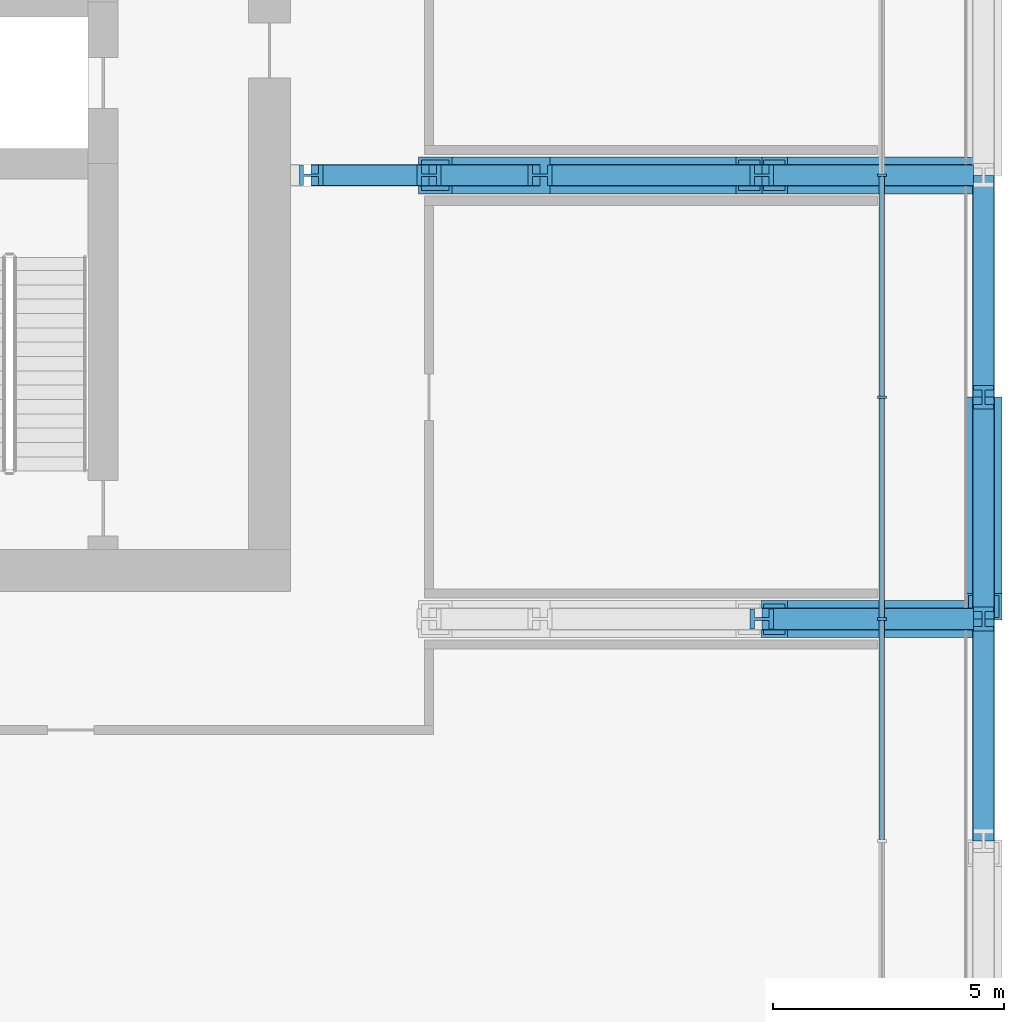
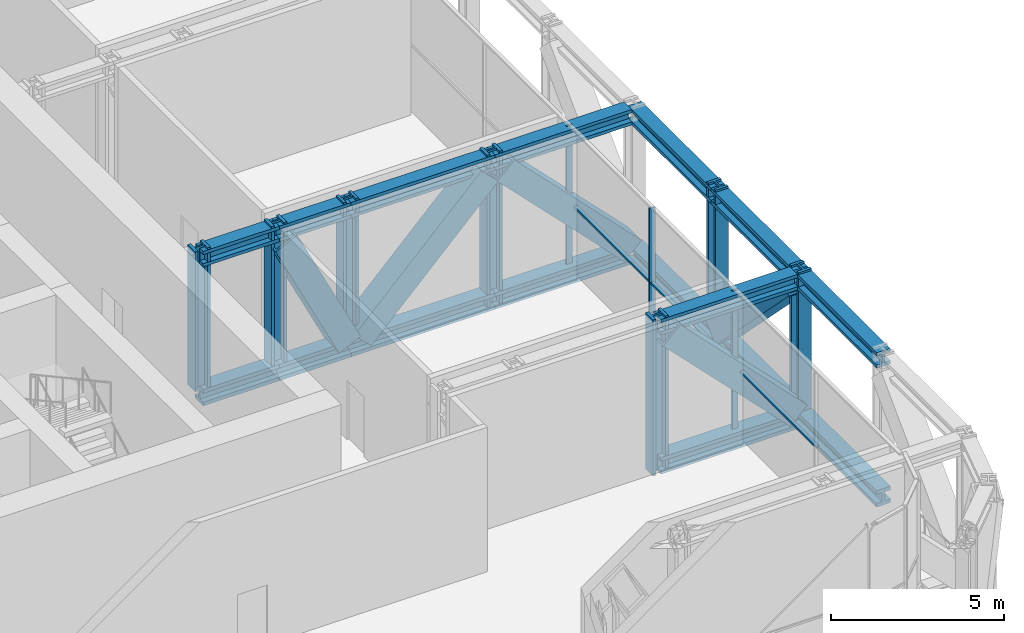
# One storey, part 9 of 30: 34 members, 1 element without a shape of its own.
"""IFC4 building model written with IfcOpenShell, lengths in metres."""

from ifc_helpers import new_model, si_unit, direction, frame, origin, origin_2d, place, context, subcontext, project, spatial, rectangle, hollow_rectangle, i_section, extrude, material, layer, layer_set, material_profile, profile_set, type_object, element, aggregate, save


model = new_model("IFC4")

# Units and contexts
model_context = context("Model", 3, precision=1e-05, world=origin(), true_north=direction((0.0, 1.0)))
body_context = subcontext(model_context, "Body", "Model", "MODEL_VIEW")
ifc_project = project(units=[si_unit("LENGTHUNIT", "METRE"), si_unit("AREAUNIT", "SQUARE_METRE"), si_unit("VOLUMEUNIT", "CUBIC_METRE"), si_unit("PLANEANGLEUNIT", "RADIAN"), si_unit("MASSUNIT", "GRAM", prefix="KILO")], contexts=[model_context])

# Site, building, storey
site_placement = place(None, origin())
site = spatial("IfcSite", under=ifc_project, at=site_placement, CompositionType="ELEMENT")
building_placement = place(site_placement, origin())
building = spatial("IfcBuilding", under=site, at=building_placement, Name="Madar Terraces", CompositionType="ELEMENT")
storey_placement = place(building_placement, frame((0.0, 0.0, 53.89990234375)))
storey = spatial("IfcBuildingStorey", under=building, at=storey_placement, Name="L13", CompositionType="ELEMENT", Elevation=53.89990234375)

# Members
ifc_material_1 = material(Name="Steel ASTM A913 Grade 65", Category="steel")
ifc_material_profile_1 = material_profile(ifc_material_1, i_section(OverallWidth=0.472412109375, OverallDepth=0.5791015625, WebThickness=0.094970703125, FlangeThickness=0.130126953125, at=origin_2d()), Name="W14x808")
ifc_profile_set_1 = profile_set([ifc_material_profile_1], Name="Steel ASTM A913 Grade 65")
member_type_1 = type_object("IfcMemberType", Name="BC2 W14x808", PredefinedType="CHORD", material=ifc_profile_set_1)
member_1_placement = place(storey_placement, frame((62.39990234375, 9.60009765625, -0.13037109375), z_axis=(0.0, 1.0, 0.0), x_axis=(-1.0, 0.0, 0.0)))
element("IfcMember", 1, at=member_1_placement, inside=storey, type_object=member_type_1, Name="Exoskeleton truss ring bottom chord BC2", PredefinedType="CHORD", context=body_context, shape_type="SweptSolid", body=[
    extrude(i_section(OverallWidth=0.472412109375, OverallDepth=0.5791015625, WebThickness=0.094970703125, FlangeThickness=0.130126953125, at=origin_2d()), origin(), (0.0, 0.0, 1.0), 4.7998046875),
])
for number, where, z_axis, x_axis, name in (
    (2, (62.39990234375, 14.39990234375, -0.13037109375), (0.0, 1.0, 0.0), (-1.0, 0.0, 0.0), "Exoskeleton truss ring bottom chord BC2"),
    (3, (62.39990234375, 19.199951171875, -0.13037109375), (0.0, 1.0, 0.0), (-1.0, 0.0, 0.0), "Exoskeleton truss ring bottom chord BC2"),
):
    element("IfcMember", number, at=place(storey_placement, frame(where, z_axis=z_axis, x_axis=x_axis)), inside=storey, type_object=member_type_1, Name=name, PredefinedType="CHORD", context=body_context, shape_type="SweptSolid", body=[
        extrude(i_section(OverallWidth=0.472412109375, OverallDepth=0.5791015625, WebThickness=0.094970703125, FlangeThickness=0.130126953125, at=origin_2d()), origin(), (0.0, 0.0, 1.0), 4.800048828125),
    ])
for number, where, z_axis, x_axis, name in (
    (4, (62.163818359375, 14.39990234375, -0.13037109375), (-1.0, 0.0, 0.0), (0.0, -1.0, 0.0), "Exoskeleton truss cross E14.4 bottom chord BC2"),
    (5, (62.163818359375, 24.0, -0.13037109375), (-1.0, 0.0, 0.0), (0.0, -1.0, 0.0), "Exoskeleton truss cross E24 bottom chord BC2"),
):
    element("IfcMember", number, at=place(storey_placement, frame(where, z_axis=z_axis, x_axis=x_axis)), inside=storey, type_object=member_type_1, Name=name, PredefinedType="CHORD", context=body_context, shape_type="SweptSolid", body=[
        extrude(i_section(OverallWidth=0.472412109375, OverallDepth=0.5791015625, WebThickness=0.094970703125, FlangeThickness=0.130126953125, at=origin_2d()), origin(), (0.0, 0.0, 1.0), 4.563720703125),
    ])
member_2_placement = place(storey_placement, frame((57.60009765625, 24.0, -0.13037109375), z_axis=(-1.0, 0.0, 0.0), x_axis=(0.0, -1.0, 0.0)))
element("IfcMember", 6, at=member_2_placement, inside=storey, type_object=member_type_1, Name="Exoskeleton truss cross E24 bottom chord BC2", PredefinedType="CHORD", context=body_context, shape_type="SweptSolid", body=[
    extrude(i_section(OverallWidth=0.472412109375, OverallDepth=0.5791015625, WebThickness=0.094970703125, FlangeThickness=0.130126953125, at=origin_2d()), origin(), (0.0, 0.0, 1.0), 4.800048828125),
])
member_3_placement = place(storey_placement, frame((52.800048828125, 24.0, -0.13037109375), z_axis=(-1.0, 0.0, 0.0), x_axis=(0.0, -1.0, 0.0)))
element("IfcMember", 7, at=member_3_placement, inside=storey, type_object=member_type_1, Name="Exoskeleton truss cross E24 bottom chord BC2", PredefinedType="CHORD", context=body_context, shape_type="SweptSolid", body=[
    extrude(i_section(OverallWidth=0.472412109375, OverallDepth=0.5791015625, WebThickness=0.094970703125, FlangeThickness=0.130126953125, at=origin_2d()), origin(), (0.0, 0.0, 1.0), 2.400146484375),
])
member_4_placement = place(storey_placement, frame((50.39990234375, 24.0, -0.13037109375), z_axis=(-1.0, 0.0, 0.0), x_axis=(0.0, -1.0, 0.0)))
element("IfcMember", 8, at=member_4_placement, inside=storey, type_object=member_type_1, Name="Exoskeleton truss cross E24 bottom chord BC2", PredefinedType="CHORD", context=body_context, shape_type="SweptSolid", body=[
    extrude(i_section(OverallWidth=0.472412109375, OverallDepth=0.5791015625, WebThickness=0.094970703125, FlangeThickness=0.130126953125, at=origin_2d()), origin(), (0.0, 0.0, 1.0), 2.5498046875),
])

# Curtain wall, members
ifc_material_2 = material(Name="Glass, ceramic frit dark grey, with black aluminium frame", Category="aluminium")
ifc_layer = layer(ifc_material_2, 0.199951171875)
ifc_layer_set = layer_set([ifc_layer], Name="Facade curtain wall, tall glazing")
curtain_wall_type = type_object("IfcCurtainWallType", Name="Facade curtain wall, tall glazing", PredefinedType="NOTDEFINED", material=ifc_layer_set)
curtain_wall_placement = place(storey_placement, origin())
curtain_wall = element("IfcCurtainWall", 9, at=curtain_wall_placement, inside=storey, type_object=curtain_wall_type, Name="Outer skin curtain wall east bay 1", PredefinedType="NOTDEFINED")
ifc_material_3 = material(Name="Aluminium, black anodised", Category="aluminium")
ifc_material_profile_2 = material_profile(ifc_material_3, rectangle(XDim=0.199951171875, YDim=0.06005859375, at=origin_2d()), Name="Facade mullion 60x200")
ifc_profile_set_2 = profile_set([ifc_material_profile_2], Name="Aluminium, black anodised")
member_type_2 = type_object("IfcMemberType", Name="Facade mullion 60x200", PredefinedType="MULLION", material=ifc_profile_set_2)
member_5_placement = place(storey_placement, frame((60.199951171875, 14.39990234375, 0.0), z_axis=(0.0, 0.0, 1.0), x_axis=(-1.0, 0.0, 0.0)))
member_5 = element("IfcMember", 10, at=member_5_placement, type_object=member_type_2, Name="Mullion 2", PredefinedType="MULLION", context=body_context, shape_type="SweptSolid", body=[
    extrude(rectangle(XDim=0.199951171875, YDim=0.06005859375, at=origin_2d()), origin(), (0.0, 0.0, 1.0), 5.0400390625),
])
member_6_placement = place(storey_placement, frame((60.199951171875, 19.199951171875, 0.0), z_axis=(0.0, 0.0, 1.0), x_axis=(-1.0, 0.0, 0.0)))
member_6 = element("IfcMember", 11, at=member_6_placement, type_object=member_type_2, Name="Mullion 3", PredefinedType="MULLION", context=body_context, shape_type="SweptSolid", body=[
    extrude(rectangle(XDim=0.199951171875, YDim=0.06005859375, at=origin_2d()), origin(), (0.0, 0.0, 1.0), 5.0400390625),
])
member_7_placement = place(storey_placement, frame((60.199951171875, 24.0, 0.0), z_axis=(0.0, 0.0, 1.0), x_axis=(-1.0, 0.0, 0.0)))
member_7 = element("IfcMember", 12, at=member_7_placement, type_object=member_type_2, Name="Mullion 4", PredefinedType="MULLION", context=body_context, shape_type="SweptSolid", body=[
    extrude(rectangle(XDim=0.199951171875, YDim=0.06005859375, at=origin_2d()), origin(), (0.0, 0.0, 1.0), 5.0400390625),
])
ifc_material_4 = material(Name="Aluminium, black anodised", Category="aluminium")
ifc_material_profile_3 = material_profile(ifc_material_4, rectangle(XDim=0.1201171875, YDim=0.06005859375, at=origin_2d()), Name="Facade transom 60x120")
ifc_profile_set_3 = profile_set([ifc_material_profile_3], Name="Aluminium, black anodised")
member_type_3 = type_object("IfcMemberType", Name="Facade transom 60x120", PredefinedType="USERDEFINED", material=ifc_profile_set_3)
member_8_placement = place(storey_placement, frame((60.199951171875, 9.6298828125, 2.400146484375), z_axis=(0.0, 1.0, 0.0), x_axis=(-1.0, 0.0, 0.0)))
member_8 = element("IfcMember", 13, at=member_8_placement, type_object=member_type_3, Name="Transom 3", ObjectType="TRANSOM", PredefinedType="USERDEFINED", context=body_context, shape_type="SweptSolid", body=[
    extrude(rectangle(XDim=0.1201171875, YDim=0.06005859375, at=origin_2d()), origin(), (0.0, 0.0, 1.0), 4.740234375),
])
member_9_placement = place(storey_placement, frame((60.199951171875, 14.429931640625, 2.400146484375), z_axis=(0.0, 1.0, 0.0), x_axis=(-1.0, 0.0, 0.0)))
member_9 = element("IfcMember", 14, at=member_9_placement, type_object=member_type_3, Name="Transom 4", ObjectType="TRANSOM", PredefinedType="USERDEFINED", context=body_context, shape_type="SweptSolid", body=[
    extrude(rectangle(XDim=0.1201171875, YDim=0.06005859375, at=origin_2d()), origin(), (0.0, 0.0, 1.0), 4.739990234375),
])
member_10_placement = place(storey_placement, frame((60.199951171875, 19.22998046875, 2.400146484375), z_axis=(0.0, 1.0, 0.0), x_axis=(-1.0, 0.0, 0.0)))
member_10 = element("IfcMember", 15, at=member_10_placement, type_object=member_type_3, Name="Transom 5", ObjectType="TRANSOM", PredefinedType="USERDEFINED", context=body_context, shape_type="SweptSolid", body=[
    extrude(rectangle(XDim=0.1201171875, YDim=0.06005859375, at=origin_2d()), origin(), (0.0, 0.0, 1.0), 4.739990234375),
])
aggregate(curtain_wall, [member_5, member_6, member_7, member_8, member_9, member_10])

# Members
ifc_material_5 = material(Name="Steel ASTM A913 Grade 65", Category="steel")
ifc_material_profile_4 = material_profile(ifc_material_5, i_section(OverallWidth=0.449462890625, OverallDepth=0.548583984375, WebThickness=0.07177734375, FlangeThickness=0.11474609375, at=origin_2d()), Name="W14x665")
ifc_profile_set_4 = profile_set([ifc_material_profile_4], Name="Steel ASTM A913 Grade 65")
member_type_4 = type_object("IfcMemberType", Name="TC2 W14x665", PredefinedType="CHORD", material=ifc_profile_set_4)
member_11_placement = place(storey_placement, frame((62.39990234375, 9.60009765625, 4.755859375), z_axis=(0.0, 1.0, 0.0), x_axis=(-1.0, 0.0, 0.0)))
element("IfcMember", 16, at=member_11_placement, inside=storey, type_object=member_type_4, Name="Exoskeleton truss ring top chord TC2", PredefinedType="CHORD", context=body_context, shape_type="SweptSolid", body=[
    extrude(i_section(OverallWidth=0.449462890625, OverallDepth=0.548583984375, WebThickness=0.07177734375, FlangeThickness=0.11474609375, at=origin_2d()), origin(), (0.0, 0.0, 1.0), 4.7998046875),
])
for number, where, z_axis, x_axis, name in (
    (17, (62.39990234375, 14.39990234375, 4.755859375), (0.0, 1.0, 0.0), (-1.0, 0.0, 0.0), "Exoskeleton truss ring top chord TC2"),
    (18, (62.39990234375, 19.199951171875, 4.755859375), (0.0, 1.0, 0.0), (-1.0, 0.0, 0.0), "Exoskeleton truss ring top chord TC2"),
):
    element("IfcMember", number, at=place(storey_placement, frame(where, z_axis=z_axis, x_axis=x_axis)), inside=storey, type_object=member_type_4, Name=name, PredefinedType="CHORD", context=body_context, shape_type="SweptSolid", body=[
        extrude(i_section(OverallWidth=0.449462890625, OverallDepth=0.548583984375, WebThickness=0.07177734375, FlangeThickness=0.11474609375, at=origin_2d()), origin(), (0.0, 0.0, 1.0), 4.800048828125),
    ])
for number, where, z_axis, x_axis, name in (
    (19, (62.17529296875, 14.39990234375, 4.755859375), (-1.0, 0.0, 0.0), (0.0, -1.0, 0.0), "Exoskeleton truss cross E14.4 top chord TC2"),
    (20, (62.17529296875, 24.0, 4.755859375), (-1.0, 0.0, 0.0), (0.0, -1.0, 0.0), "Exoskeleton truss cross E24 top chord TC2"),
):
    element("IfcMember", number, at=place(storey_placement, frame(where, z_axis=z_axis, x_axis=x_axis)), inside=storey, type_object=member_type_4, Name=name, PredefinedType="CHORD", context=body_context, shape_type="SweptSolid", body=[
        extrude(i_section(OverallWidth=0.449462890625, OverallDepth=0.548583984375, WebThickness=0.07177734375, FlangeThickness=0.11474609375, at=origin_2d()), origin(), (0.0, 0.0, 1.0), 4.5751953125),
    ])
member_12_placement = place(storey_placement, frame((57.60009765625, 24.0, 4.755859375), z_axis=(-1.0, 0.0, 0.0), x_axis=(0.0, -1.0, 0.0)))
element("IfcMember", 21, at=member_12_placement, inside=storey, type_object=member_type_4, Name="Exoskeleton truss cross E24 top chord TC2", PredefinedType="CHORD", context=body_context, shape_type="SweptSolid", body=[
    extrude(i_section(OverallWidth=0.449462890625, OverallDepth=0.548583984375, WebThickness=0.07177734375, FlangeThickness=0.11474609375, at=origin_2d()), origin(), (0.0, 0.0, 1.0), 4.800048828125),
])
member_13_placement = place(storey_placement, frame((52.800048828125, 24.0, 4.755859375), z_axis=(-1.0, 0.0, 0.0), x_axis=(0.0, -1.0, 0.0)))
element("IfcMember", 22, at=member_13_placement, inside=storey, type_object=member_type_4, Name="Exoskeleton truss cross E24 top chord TC2", PredefinedType="CHORD", context=body_context, shape_type="SweptSolid", body=[
    extrude(i_section(OverallWidth=0.449462890625, OverallDepth=0.548583984375, WebThickness=0.07177734375, FlangeThickness=0.11474609375, at=origin_2d()), origin(), (0.0, 0.0, 1.0), 2.400146484375),
])
member_14_placement = place(storey_placement, frame((50.39990234375, 24.0, 4.755859375), z_axis=(-1.0, 0.0, 0.0), x_axis=(0.0, -1.0, 0.0)))
element("IfcMember", 23, at=member_14_placement, inside=storey, type_object=member_type_4, Name="Exoskeleton truss cross E24 top chord TC2", PredefinedType="CHORD", context=body_context, shape_type="SweptSolid", body=[
    extrude(i_section(OverallWidth=0.449462890625, OverallDepth=0.548583984375, WebThickness=0.07177734375, FlangeThickness=0.11474609375, at=origin_2d()), origin(), (0.0, 0.0, 1.0), 2.5498046875),
])
ifc_material_6 = material(Name="Steel ASTM A572 Grade 50", Category="steel")
ifc_material_profile_5 = material_profile(ifc_material_6, hollow_rectangle(XDim=0.800048828125, YDim=0.800048828125, WallThickness=0.070068359375, at=origin_2d()), Name="BOX800x800x70")
ifc_profile_set_5 = profile_set([ifc_material_profile_5], Name="Steel ASTM A572 Grade 50")
member_type_5 = type_object("IfcMemberType", Name="TD2 BOX800x800x70", PredefinedType="BRACE", material=ifc_profile_set_5)
for number, where, z_axis, x_axis, name in (
    (24, (62.39990234375, 14.66943359375, 4.4814453125), (0.0, 0.700792979798, -0.713364702986), (-1.0, 0.0, 0.0), "Exoskeleton truss ring diagonal TD2"),
    (25, (62.115478515625, 14.39990234375, 0.1591796875), (-0.700792979798, 0.0, 0.713364702986), (0.0, -1.0, 0.0), "Exoskeleton truss cross E14.4 diagonal TD2"),
    (26, (62.115478515625, 24.0, 0.1591796875), (-0.700792979798, 0.0, 0.713364702986), (0.0, -1.0, 0.0), "Exoskeleton truss cross E24 diagonal TD2"),
    (27, (57.33056640625, 24.0, 4.4814453125), (-0.700792979798, 0.0, -0.713364702986), (0.0, -1.0, 0.0), "Exoskeleton truss cross E24 diagonal TD2"),
):
    element("IfcMember", number, at=place(storey_placement, frame(where, z_axis=z_axis, x_axis=x_axis)), inside=storey, type_object=member_type_5, Name=name, PredefinedType="BRACE", context=body_context, shape_type="SweptSolid", body=[
        extrude(hollow_rectangle(XDim=0.800048828125, YDim=0.800048828125, WallThickness=0.070068359375, at=origin_2d()), origin(), (0.0, 0.0, 1.0), 6.05908203125),
    ])
member_15_placement = place(storey_placement, frame((52.65771484375, 24.0, 0.1591796875), z_axis=(-0.440875217674, 0.0, 0.897568405438), x_axis=(0.0, -1.0, 0.0)))
element("IfcMember", 28, at=member_15_placement, inside=storey, type_object=member_type_5, Name="Exoskeleton truss cross E24 diagonal TD2", PredefinedType="BRACE", context=body_context, shape_type="SweptSolid", body=[
    extrude(hollow_rectangle(XDim=0.800048828125, YDim=0.800048828125, WallThickness=0.070068359375, at=origin_2d()), origin(), (0.0, 0.0, 1.0), 4.8154296875),
])
ifc_material_7 = material(Name="Steel ASTM A913 Grade 65", Category="steel")
ifc_material_profile_6 = material_profile(ifc_material_7, i_section(OverallWidth=0.436767578125, OverallDepth=0.51318359375, WebThickness=0.060546875, FlangeThickness=0.096923828125, at=origin_2d()), Name="W14x550")
ifc_profile_set_6 = profile_set([ifc_material_profile_6], Name="Steel ASTM A913 Grade 65")
member_type_6 = type_object("IfcMemberType", Name="TV2 W14x550", PredefinedType="POST", material=ifc_profile_set_6)
for number, where, z_axis, x_axis, name in (
    (29, (62.39990234375, 14.39990234375, 0.1591796875), (0.0, 0.0, 1.0), (-1.0, 0.0, 0.0), "Exoskeleton truss ring post TV2"),
    (30, (62.39990234375, 19.199951171875, 0.1591796875), (0.0, 0.0, 1.0), (-1.0, 0.0, 0.0), "Exoskeleton truss ring post TV2"),
):
    element("IfcMember", number, at=place(storey_placement, frame(where, z_axis=z_axis, x_axis=x_axis)), inside=storey, type_object=member_type_6, Name=name, PredefinedType="POST", context=body_context, shape_type="SweptSolid", body=[
        extrude(i_section(OverallWidth=0.436767578125, OverallDepth=0.51318359375, WebThickness=0.060546875, FlangeThickness=0.096923828125, at=origin_2d()), origin(), (0.0, 0.0, 1.0), 4.94091796875),
    ])
for number, where, z_axis, x_axis, name in (
    (31, (57.60009765625, 14.39990234375, -0.419921875), (0.0, 0.0, 1.0), (0.0, 1.0, 0.0), "Exoskeleton truss cross E14.4 post TV2"),
    (32, (57.60009765625, 24.0, -0.419921875), (0.0, 0.0, 1.0), (0.0, 1.0, 0.0), "Exoskeleton truss cross E24 post TV2"),
):
    element("IfcMember", number, at=place(storey_placement, frame(where, z_axis=z_axis, x_axis=x_axis)), inside=storey, type_object=member_type_6, Name=name, PredefinedType="POST", context=body_context, shape_type="SweptSolid", body=[
        extrude(i_section(OverallWidth=0.436767578125, OverallDepth=0.51318359375, WebThickness=0.060546875, FlangeThickness=0.096923828125, at=origin_2d()), origin(), (0.0, 0.0, 1.0), 5.52001953125),
    ])
for number, where, z_axis, x_axis, name in (
    (33, (52.800048828125, 24.0, 0.1591796875), (0.0, 0.0, 1.0), (0.0, 1.0, 0.0), "Exoskeleton truss cross E24 post TV2"),
    (34, (50.39990234375, 24.0, 0.1591796875), (0.0, 0.0, 1.0), (0.0, 1.0, 0.0), "Exoskeleton truss cross E24 post TV2"),
    (35, (47.85009765625, 24.0, 0.1591796875), (0.0, 0.0, 1.0), (0.0, 1.0, 0.0), "Exoskeleton truss cross E24 post TV2"),
):
    element("IfcMember", number, at=place(storey_placement, frame(where, z_axis=z_axis, x_axis=x_axis)), inside=storey, type_object=member_type_6, Name=name, PredefinedType="POST", context=body_context, shape_type="SweptSolid", body=[
        extrude(i_section(OverallWidth=0.436767578125, OverallDepth=0.51318359375, WebThickness=0.060546875, FlangeThickness=0.096923828125, at=origin_2d()), origin(), (0.0, 0.0, 1.0), 4.94091796875),
    ])

save(model, "model.ifc")
